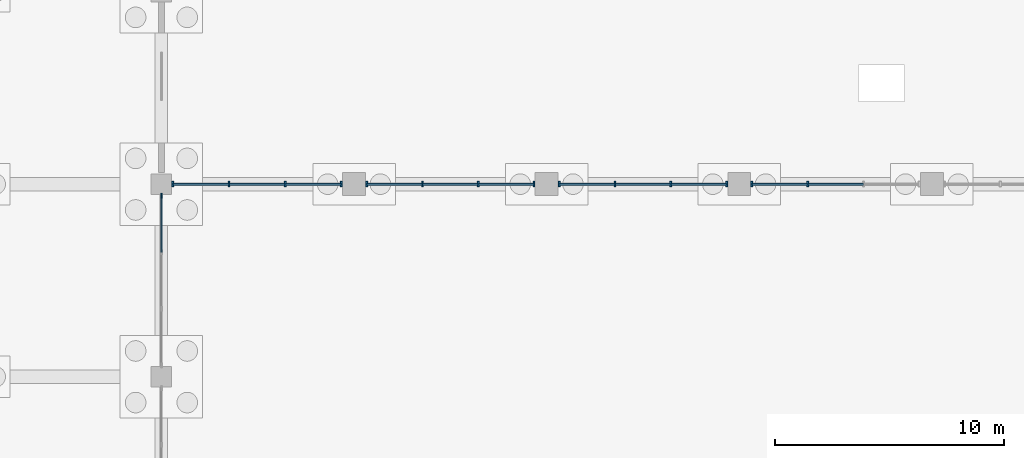
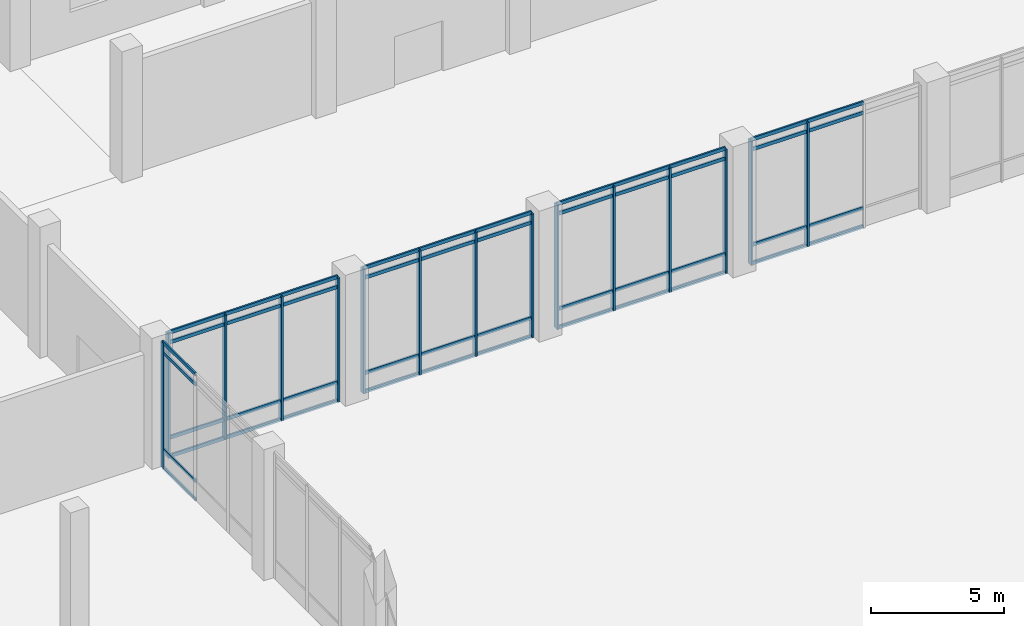
# One storey, part 25 of 72: 63 members, 5 elements without a shape of their own.
"""IFC4 building model written with IfcOpenShell, lengths in metres."""

from ifc_helpers import new_model, si_unit, direction, frame, origin, origin_2d, place, context, subcontext, project, spatial, rectangle, extrude, material, layer, layer_set, material_profile, profile_set, type_object, element, aggregate, save


model = new_model("IFC4")

# Units and contexts
model_context = context("Model", 3, precision=1e-05, world=origin(), true_north=direction((0.0, 1.0)))
body_context = subcontext(model_context, "Body", "Model", "MODEL_VIEW")
ifc_project = project(units=[si_unit("LENGTHUNIT", "METRE"), si_unit("AREAUNIT", "SQUARE_METRE"), si_unit("VOLUMEUNIT", "CUBIC_METRE"), si_unit("PLANEANGLEUNIT", "RADIAN"), si_unit("MASSUNIT", "GRAM", prefix="KILO")], contexts=[model_context])

# Site, building, storey
site_placement = place(None, origin())
site = spatial("IfcSite", under=ifc_project, at=site_placement, CompositionType="ELEMENT")
building_placement = place(site_placement, origin())
building = spatial("IfcBuilding", under=site, at=building_placement, Name="Qawsi Khor Wholesale Market", CompositionType="ELEMENT")
storey_placement = place(building_placement, origin())
storey = spatial("IfcBuildingStorey", under=building, at=storey_placement, Name="L00", CompositionType="ELEMENT", Elevation=0.0)

# Curtain wall, member
ifc_material = material(Name="Aluminium Anodised Bronze", Category="aluminium")
ifc_layer_1 = layer(ifc_material, 0.199951171875, Name="Aluminium Anodised Bronze")
ifc_layer_set_1 = layer_set([ifc_layer_1], Name="Aluminium Anodised Bronze")
curtain_wall_type_1 = type_object("IfcCurtainWallType", Name="Trading Hall North-Light Curtain Wall CW-03", PredefinedType="NOTDEFINED", material=ifc_layer_set_1)
curtain_wall_1_placement = place(storey_placement, origin())
curtain_wall_1 = element("IfcCurtainWall", 1, at=curtain_wall_1_placement, inside=storey, type_object=curtain_wall_type_1, Name="Curtain wall CW-CW-03-L00-092", PredefinedType="NOTDEFINED")
ifc_material_profile_1 = material_profile(ifc_material, rectangle(XDim=0.074951171875, YDim=0.219970703125, at=origin_2d()), Name="ALU MULLION 75x220")
ifc_profile_set_1 = profile_set([ifc_material_profile_1], Name="Aluminium Anodised Bronze")
member_type_1 = type_object("IfcMemberType", Name="Curtain Wall Mullion CW-03 ALU MULLION 75x220", PredefinedType="MULLION", material=ifc_profile_set_1)
member_1_placement = place(storey_placement, frame((75.60009765625, 91.902587890625, -0.02001953125), z_axis=(0.0, 0.0, 1.0), x_axis=(1.0, 0.0, 0.0)))
member_1 = element("IfcMember", 2, at=member_1_placement, type_object=member_type_1, Name="Mullion CW-CW-03-L00-092-M03", PredefinedType="MULLION", context=body_context, shape_type="SweptSolid", body=[
    extrude(rectangle(XDim=0.074951171875, YDim=0.219970703125, at=origin_2d()), origin(), (0.0, 0.0, 1.0), 5.75),
])

# Curtain wall, members
ifc_layer_2 = layer(ifc_material, 0.219970703125, Name="Aluminium Anodised Bronze")
ifc_layer_set_2 = layer_set([ifc_layer_2], Name="Aluminium Anodised Bronze")
curtain_wall_type_2 = type_object("IfcCurtainWallType", Name="Auction Clerestory Curtain Wall CW-04", PredefinedType="NOTDEFINED", material=ifc_layer_set_2)
curtain_wall_2_placement = place(storey_placement, origin())
curtain_wall_2 = element("IfcCurtainWall", 3, at=curtain_wall_2_placement, inside=storey, type_object=curtain_wall_type_2, Name="Curtain wall CW-CW-04-L00-097", PredefinedType="NOTDEFINED")
ifc_material_profile_2 = material_profile(ifc_material, rectangle(XDim=0.080078125, YDim=0.239990234375, at=origin_2d()), Name="ALU MULLION 80x240")
ifc_profile_set_2 = profile_set([ifc_material_profile_2], Name="Aluminium Anodised Bronze")
member_type_2 = type_object("IfcMemberType", Name="Curtain Wall Mullion CW-04 ALU MULLION 80x240", PredefinedType="MULLION", material=ifc_profile_set_2)
member_2_placement = place(storey_placement, frame((76.10009765625, 92.39990234375, -0.02001953125), z_axis=(0.0, 0.0, 1.0), x_axis=(1.0, 0.0, 0.0)))
member_2 = element("IfcMember", 4, at=member_2_placement, type_object=member_type_2, Name="Mullion CW-CW-04-L00-097-M00", PredefinedType="MULLION", context=body_context, shape_type="SweptSolid", body=[
    extrude(rectangle(XDim=0.080078125, YDim=0.239990234375, at=origin_2d()), origin(), (0.0, 0.0, 1.0), 5.68994140625),
])
member_3_placement = place(storey_placement, frame((78.550048828125, 92.39990234375, -0.02001953125), z_axis=(0.0, 0.0, 1.0), x_axis=(1.0, 0.0, 0.0)))
member_3 = element("IfcMember", 5, at=member_3_placement, type_object=member_type_2, Name="Mullion CW-CW-04-L00-097-M01", PredefinedType="MULLION", context=body_context, shape_type="SweptSolid", body=[
    extrude(rectangle(XDim=0.080078125, YDim=0.239990234375, at=origin_2d()), origin(), (0.0, 0.0, 1.0), 5.68994140625),
])
member_4_placement = place(storey_placement, frame((81.0, 92.39990234375, -0.02001953125), z_axis=(0.0, 0.0, 1.0), x_axis=(1.0, 0.0, 0.0)))
member_4 = element("IfcMember", 6, at=member_4_placement, type_object=member_type_2, Name="Mullion CW-CW-04-L00-097-M02", PredefinedType="MULLION", context=body_context, shape_type="SweptSolid", body=[
    extrude(rectangle(XDim=0.080078125, YDim=0.239990234375, at=origin_2d()), origin(), (0.0, 0.0, 1.0), 5.68994140625),
])
member_5_placement = place(storey_placement, frame((83.449951171875, 92.39990234375, -0.02001953125), z_axis=(0.0, 0.0, 1.0), x_axis=(1.0, 0.0, 0.0)))
member_5 = element("IfcMember", 7, at=member_5_placement, type_object=member_type_2, Name="Mullion CW-CW-04-L00-097-M03", PredefinedType="MULLION", context=body_context, shape_type="SweptSolid", body=[
    extrude(rectangle(XDim=0.080078125, YDim=0.239990234375, at=origin_2d()), origin(), (0.0, 0.0, 1.0), 5.68994140625),
])

curtain_wall_3_placement = place(storey_placement, origin())
curtain_wall_3 = element("IfcCurtainWall", 8, at=curtain_wall_3_placement, inside=storey, type_object=curtain_wall_type_2, Name="Curtain wall CW-CW-04-L00-099", PredefinedType="NOTDEFINED")
member_6_placement = place(storey_placement, frame((84.550048828125, 92.39990234375, -0.02001953125), z_axis=(0.0, 0.0, 1.0), x_axis=(1.0, 0.0, 0.0)))
member_6 = element("IfcMember", 9, at=member_6_placement, type_object=member_type_2, Name="Mullion CW-CW-04-L00-099-M00", PredefinedType="MULLION", context=body_context, shape_type="SweptSolid", body=[
    extrude(rectangle(XDim=0.080078125, YDim=0.239990234375, at=origin_2d()), origin(), (0.0, 0.0, 1.0), 5.68994140625),
])
member_7_placement = place(storey_placement, frame((86.9833984375, 92.39990234375, -0.02001953125), z_axis=(0.0, 0.0, 1.0), x_axis=(1.0, 0.0, 0.0)))
member_7 = element("IfcMember", 10, at=member_7_placement, type_object=member_type_2, Name="Mullion CW-CW-04-L00-099-M01", PredefinedType="MULLION", context=body_context, shape_type="SweptSolid", body=[
    extrude(rectangle(XDim=0.080078125, YDim=0.239990234375, at=origin_2d()), origin(), (0.0, 0.0, 1.0), 5.68994140625),
])
member_8_placement = place(storey_placement, frame((89.416748046875, 92.39990234375, -0.02001953125), z_axis=(0.0, 0.0, 1.0), x_axis=(1.0, 0.0, 0.0)))
member_8 = element("IfcMember", 11, at=member_8_placement, type_object=member_type_2, Name="Mullion CW-CW-04-L00-099-M02", PredefinedType="MULLION", context=body_context, shape_type="SweptSolid", body=[
    extrude(rectangle(XDim=0.080078125, YDim=0.239990234375, at=origin_2d()), origin(), (0.0, 0.0, 1.0), 5.68994140625),
])
member_9_placement = place(storey_placement, frame((91.85009765625, 92.39990234375, -0.02001953125), z_axis=(0.0, 0.0, 1.0), x_axis=(1.0, 0.0, 0.0)))
member_9 = element("IfcMember", 12, at=member_9_placement, type_object=member_type_2, Name="Mullion CW-CW-04-L00-099-M03", PredefinedType="MULLION", context=body_context, shape_type="SweptSolid", body=[
    extrude(rectangle(XDim=0.080078125, YDim=0.239990234375, at=origin_2d()), origin(), (0.0, 0.0, 1.0), 5.68994140625),
])

curtain_wall_4_placement = place(storey_placement, origin())
curtain_wall_4 = element("IfcCurtainWall", 13, at=curtain_wall_4_placement, inside=storey, type_object=curtain_wall_type_2, Name="Curtain wall CW-CW-04-L00-102", PredefinedType="NOTDEFINED")
member_10_placement = place(storey_placement, frame((92.949951171875, 92.39990234375, -0.02001953125), z_axis=(0.0, 0.0, 1.0), x_axis=(1.0, 0.0, 0.0)))
member_10 = element("IfcMember", 14, at=member_10_placement, type_object=member_type_2, Name="Mullion CW-CW-04-L00-102-M00", PredefinedType="MULLION", context=body_context, shape_type="SweptSolid", body=[
    extrude(rectangle(XDim=0.080078125, YDim=0.239990234375, at=origin_2d()), origin(), (0.0, 0.0, 1.0), 5.68994140625),
])
member_11_placement = place(storey_placement, frame((95.38330078125, 92.39990234375, -0.02001953125), z_axis=(0.0, 0.0, 1.0), x_axis=(1.0, 0.0, 0.0)))
member_11 = element("IfcMember", 15, at=member_11_placement, type_object=member_type_2, Name="Mullion CW-CW-04-L00-102-M01", PredefinedType="MULLION", context=body_context, shape_type="SweptSolid", body=[
    extrude(rectangle(XDim=0.080078125, YDim=0.239990234375, at=origin_2d()), origin(), (0.0, 0.0, 1.0), 5.68994140625),
])
member_12_placement = place(storey_placement, frame((97.816650390625, 92.39990234375, -0.02001953125), z_axis=(0.0, 0.0, 1.0), x_axis=(1.0, 0.0, 0.0)))
member_12 = element("IfcMember", 16, at=member_12_placement, type_object=member_type_2, Name="Mullion CW-CW-04-L00-102-M02", PredefinedType="MULLION", context=body_context, shape_type="SweptSolid", body=[
    extrude(rectangle(XDim=0.080078125, YDim=0.239990234375, at=origin_2d()), origin(), (0.0, 0.0, 1.0), 5.68994140625),
])
member_13_placement = place(storey_placement, frame((100.25, 92.39990234375, -0.02001953125), z_axis=(0.0, 0.0, 1.0), x_axis=(1.0, 0.0, 0.0)))
member_13 = element("IfcMember", 17, at=member_13_placement, type_object=member_type_2, Name="Mullion CW-CW-04-L00-102-M03", PredefinedType="MULLION", context=body_context, shape_type="SweptSolid", body=[
    extrude(rectangle(XDim=0.080078125, YDim=0.239990234375, at=origin_2d()), origin(), (0.0, 0.0, 1.0), 5.68994140625),
])

curtain_wall_5_placement = place(storey_placement, origin())
curtain_wall_5 = element("IfcCurtainWall", 18, at=curtain_wall_5_placement, inside=storey, type_object=curtain_wall_type_2, Name="Curtain wall CW-CW-04-L00-105", PredefinedType="NOTDEFINED")
member_14_placement = place(storey_placement, frame((101.35009765625, 92.39990234375, -0.02001953125), z_axis=(0.0, 0.0, 1.0), x_axis=(1.0, 0.0, 0.0)))
member_14 = element("IfcMember", 19, at=member_14_placement, type_object=member_type_2, Name="Mullion CW-CW-04-L00-105-M00", PredefinedType="MULLION", context=body_context, shape_type="SweptSolid", body=[
    extrude(rectangle(XDim=0.080078125, YDim=0.239990234375, at=origin_2d()), origin(), (0.0, 0.0, 1.0), 5.68994140625),
])
member_15_placement = place(storey_placement, frame((103.783203125, 92.39990234375, -0.02001953125), z_axis=(0.0, 0.0, 1.0), x_axis=(1.0, 0.0, 0.0)))
member_15 = element("IfcMember", 20, at=member_15_placement, type_object=member_type_2, Name="Mullion CW-CW-04-L00-105-M01", PredefinedType="MULLION", context=body_context, shape_type="SweptSolid", body=[
    extrude(rectangle(XDim=0.080078125, YDim=0.239990234375, at=origin_2d()), origin(), (0.0, 0.0, 1.0), 5.68994140625),
])

# Member
ifc_material_profile_3 = material_profile(ifc_material, rectangle(XDim=0.070068359375, YDim=0.14990234375, at=origin_2d()), Name="ALU TRANSOM 70x150")
ifc_profile_set_3 = profile_set([ifc_material_profile_3], Name="Aluminium Anodised Bronze")
member_type_3 = type_object("IfcMemberType", Name="Curtain Wall Transom CW-03 ALU TRANSOM 70x150", PredefinedType="USERDEFINED", material=ifc_profile_set_3)
member_16_placement = place(storey_placement, frame((75.60009765625, 89.43408203125, 0.0), z_axis=(0.0, 1.0, 0.0), x_axis=(-1.0, 0.0, 0.0)))
member_16 = element("IfcMember", 21, at=member_16_placement, type_object=member_type_3, Name="Transom CW-CW-03-L00-092-T0_02", ObjectType="TRANSOM", PredefinedType="USERDEFINED", context=body_context, shape_type="SweptSolid", body=[
    extrude(rectangle(XDim=0.070068359375, YDim=0.14990234375, at=origin_2d()), origin(), (0.0, 0.0, 1.0), 2.468505859375),
])

member_17_placement = place(storey_placement, frame((75.60009765625, 89.43408203125, 0.85009765625), z_axis=(0.0, 1.0, 0.0), x_axis=(-1.0, 0.0, 0.0)))
member_17 = element("IfcMember", 22, at=member_17_placement, type_object=member_type_3, Name="Transom CW-CW-03-L00-092-T1_02", ObjectType="TRANSOM", PredefinedType="USERDEFINED", context=body_context, shape_type="SweptSolid", body=[
    extrude(rectangle(XDim=0.070068359375, YDim=0.14990234375, at=origin_2d()), origin(), (0.0, 0.0, 1.0), 2.468505859375),
])

member_18_placement = place(storey_placement, frame((75.60009765625, 89.43408203125, 5.280029296875), z_axis=(0.0, 1.0, 0.0), x_axis=(-1.0, 0.0, 0.0)))
member_18 = element("IfcMember", 23, at=member_18_placement, type_object=member_type_3, Name="Transom CW-CW-03-L00-092-T2_02", ObjectType="TRANSOM", PredefinedType="USERDEFINED", context=body_context, shape_type="SweptSolid", body=[
    extrude(rectangle(XDim=0.070068359375, YDim=0.14990234375, at=origin_2d()), origin(), (0.0, 0.0, 1.0), 2.468505859375),
])

member_19_placement = place(storey_placement, frame((75.60009765625, 89.43408203125, 5.72998046875), z_axis=(0.0, 1.0, 0.0), x_axis=(-1.0, 0.0, 0.0)))
member_19 = element("IfcMember", 24, at=member_19_placement, type_object=member_type_3, Name="Transom CW-CW-03-L00-092-T3_02", ObjectType="TRANSOM", PredefinedType="USERDEFINED", context=body_context, shape_type="SweptSolid", body=[
    extrude(rectangle(XDim=0.070068359375, YDim=0.14990234375, at=origin_2d()), origin(), (0.0, 0.0, 1.0), 2.468505859375),
])

aggregate(curtain_wall_1, [member_1, member_16, member_17, member_18, member_19])

ifc_material_profile_4 = material_profile(ifc_material, rectangle(XDim=0.074951171875, YDim=0.159912109375, at=origin_2d()), Name="ALU TRANSOM 75x160")
ifc_profile_set_4 = profile_set([ifc_material_profile_4], Name="Aluminium Anodised Bronze")
member_type_4 = type_object("IfcMemberType", Name="Curtain Wall Transom CW-04 ALU TRANSOM 75x160", PredefinedType="USERDEFINED", material=ifc_profile_set_4)
member_20_placement = place(storey_placement, frame((76.10009765625, 92.39990234375, 0.0), z_axis=(1.0, 0.0, 0.0), x_axis=(0.0, 1.0, 0.0)))
member_20 = element("IfcMember", 25, at=member_20_placement, type_object=member_type_4, Name="Transom CW-CW-04-L00-097-T0_00", ObjectType="TRANSOM", PredefinedType="USERDEFINED", context=body_context, shape_type="SweptSolid", body=[
    extrude(rectangle(XDim=0.074951171875, YDim=0.159912109375, at=origin_2d()), origin(), (0.0, 0.0, 1.0), 2.449951171875),
])

member_21_placement = place(storey_placement, frame((78.550048828125, 92.39990234375, 0.0), z_axis=(1.0, 0.0, 0.0), x_axis=(0.0, 1.0, 0.0)))
member_21 = element("IfcMember", 26, at=member_21_placement, type_object=member_type_4, Name="Transom CW-CW-04-L00-097-T0_01", ObjectType="TRANSOM", PredefinedType="USERDEFINED", context=body_context, shape_type="SweptSolid", body=[
    extrude(rectangle(XDim=0.074951171875, YDim=0.159912109375, at=origin_2d()), origin(), (0.0, 0.0, 1.0), 2.449951171875),
])

member_22_placement = place(storey_placement, frame((81.0, 92.39990234375, 0.0), z_axis=(1.0, 0.0, 0.0), x_axis=(0.0, 1.0, 0.0)))
member_22 = element("IfcMember", 27, at=member_22_placement, type_object=member_type_4, Name="Transom CW-CW-04-L00-097-T0_02", ObjectType="TRANSOM", PredefinedType="USERDEFINED", context=body_context, shape_type="SweptSolid", body=[
    extrude(rectangle(XDim=0.074951171875, YDim=0.159912109375, at=origin_2d()), origin(), (0.0, 0.0, 1.0), 2.449951171875),
])

member_23_placement = place(storey_placement, frame((76.10009765625, 92.39990234375, 0.85009765625), z_axis=(1.0, 0.0, 0.0), x_axis=(0.0, 1.0, 0.0)))
member_23 = element("IfcMember", 28, at=member_23_placement, type_object=member_type_4, Name="Transom CW-CW-04-L00-097-T1_00", ObjectType="TRANSOM", PredefinedType="USERDEFINED", context=body_context, shape_type="SweptSolid", body=[
    extrude(rectangle(XDim=0.074951171875, YDim=0.159912109375, at=origin_2d()), origin(), (0.0, 0.0, 1.0), 2.449951171875),
])

member_24_placement = place(storey_placement, frame((78.550048828125, 92.39990234375, 0.85009765625), z_axis=(1.0, 0.0, 0.0), x_axis=(0.0, 1.0, 0.0)))
member_24 = element("IfcMember", 29, at=member_24_placement, type_object=member_type_4, Name="Transom CW-CW-04-L00-097-T1_01", ObjectType="TRANSOM", PredefinedType="USERDEFINED", context=body_context, shape_type="SweptSolid", body=[
    extrude(rectangle(XDim=0.074951171875, YDim=0.159912109375, at=origin_2d()), origin(), (0.0, 0.0, 1.0), 2.449951171875),
])

member_25_placement = place(storey_placement, frame((81.0, 92.39990234375, 0.85009765625), z_axis=(1.0, 0.0, 0.0), x_axis=(0.0, 1.0, 0.0)))
member_25 = element("IfcMember", 30, at=member_25_placement, type_object=member_type_4, Name="Transom CW-CW-04-L00-097-T1_02", ObjectType="TRANSOM", PredefinedType="USERDEFINED", context=body_context, shape_type="SweptSolid", body=[
    extrude(rectangle(XDim=0.074951171875, YDim=0.159912109375, at=origin_2d()), origin(), (0.0, 0.0, 1.0), 2.449951171875),
])

member_26_placement = place(storey_placement, frame((76.10009765625, 92.39990234375, 5.219970703125), z_axis=(1.0, 0.0, 0.0), x_axis=(0.0, 1.0, 0.0)))
member_26 = element("IfcMember", 31, at=member_26_placement, type_object=member_type_4, Name="Transom CW-CW-04-L00-097-T2_00", ObjectType="TRANSOM", PredefinedType="USERDEFINED", context=body_context, shape_type="SweptSolid", body=[
    extrude(rectangle(XDim=0.074951171875, YDim=0.159912109375, at=origin_2d()), origin(), (0.0, 0.0, 1.0), 2.449951171875),
])

member_27_placement = place(storey_placement, frame((78.550048828125, 92.39990234375, 5.219970703125), z_axis=(1.0, 0.0, 0.0), x_axis=(0.0, 1.0, 0.0)))
member_27 = element("IfcMember", 32, at=member_27_placement, type_object=member_type_4, Name="Transom CW-CW-04-L00-097-T2_01", ObjectType="TRANSOM", PredefinedType="USERDEFINED", context=body_context, shape_type="SweptSolid", body=[
    extrude(rectangle(XDim=0.074951171875, YDim=0.159912109375, at=origin_2d()), origin(), (0.0, 0.0, 1.0), 2.449951171875),
])

member_28_placement = place(storey_placement, frame((81.0, 92.39990234375, 5.219970703125), z_axis=(1.0, 0.0, 0.0), x_axis=(0.0, 1.0, 0.0)))
member_28 = element("IfcMember", 33, at=member_28_placement, type_object=member_type_4, Name="Transom CW-CW-04-L00-097-T2_02", ObjectType="TRANSOM", PredefinedType="USERDEFINED", context=body_context, shape_type="SweptSolid", body=[
    extrude(rectangle(XDim=0.074951171875, YDim=0.159912109375, at=origin_2d()), origin(), (0.0, 0.0, 1.0), 2.449951171875),
])

member_29_placement = place(storey_placement, frame((76.10009765625, 92.39990234375, 5.669921875), z_axis=(1.0, 0.0, 0.0), x_axis=(0.0, 1.0, 0.0)))
member_29 = element("IfcMember", 34, at=member_29_placement, type_object=member_type_4, Name="Transom CW-CW-04-L00-097-T3_00", ObjectType="TRANSOM", PredefinedType="USERDEFINED", context=body_context, shape_type="SweptSolid", body=[
    extrude(rectangle(XDim=0.074951171875, YDim=0.159912109375, at=origin_2d()), origin(), (0.0, 0.0, 1.0), 2.449951171875),
])

member_30_placement = place(storey_placement, frame((78.550048828125, 92.39990234375, 5.669921875), z_axis=(1.0, 0.0, 0.0), x_axis=(0.0, 1.0, 0.0)))
member_30 = element("IfcMember", 35, at=member_30_placement, type_object=member_type_4, Name="Transom CW-CW-04-L00-097-T3_01", ObjectType="TRANSOM", PredefinedType="USERDEFINED", context=body_context, shape_type="SweptSolid", body=[
    extrude(rectangle(XDim=0.074951171875, YDim=0.159912109375, at=origin_2d()), origin(), (0.0, 0.0, 1.0), 2.449951171875),
])

member_31_placement = place(storey_placement, frame((81.0, 92.39990234375, 5.669921875), z_axis=(1.0, 0.0, 0.0), x_axis=(0.0, 1.0, 0.0)))
member_31 = element("IfcMember", 36, at=member_31_placement, type_object=member_type_4, Name="Transom CW-CW-04-L00-097-T3_02", ObjectType="TRANSOM", PredefinedType="USERDEFINED", context=body_context, shape_type="SweptSolid", body=[
    extrude(rectangle(XDim=0.074951171875, YDim=0.159912109375, at=origin_2d()), origin(), (0.0, 0.0, 1.0), 2.449951171875),
])

aggregate(curtain_wall_2, [member_2, member_3, member_4, member_5, member_20, member_21, member_22, member_23, member_24, member_25, member_26, member_27, member_28, member_29, member_30, member_31])

member_32_placement = place(storey_placement, frame((84.550048828125, 92.39990234375, 0.0), z_axis=(1.0, 0.0, 0.0), x_axis=(0.0, 1.0, 0.0)))
member_32 = element("IfcMember", 37, at=member_32_placement, type_object=member_type_4, Name="Transom CW-CW-04-L00-099-T0_00", ObjectType="TRANSOM", PredefinedType="USERDEFINED", context=body_context, shape_type="SweptSolid", body=[
    extrude(rectangle(XDim=0.074951171875, YDim=0.159912109375, at=origin_2d()), origin(), (0.0, 0.0, 1.0), 2.433349609375),
])

member_33_placement = place(storey_placement, frame((86.9833984375, 92.39990234375, 0.0), z_axis=(1.0, 0.0, 0.0), x_axis=(0.0, 1.0, 0.0)))
member_33 = element("IfcMember", 38, at=member_33_placement, type_object=member_type_4, Name="Transom CW-CW-04-L00-099-T0_01", ObjectType="TRANSOM", PredefinedType="USERDEFINED", context=body_context, shape_type="SweptSolid", body=[
    extrude(rectangle(XDim=0.074951171875, YDim=0.159912109375, at=origin_2d()), origin(), (0.0, 0.0, 1.0), 2.433349609375),
])

member_34_placement = place(storey_placement, frame((89.416748046875, 92.39990234375, 0.0), z_axis=(1.0, 0.0, 0.0), x_axis=(0.0, 1.0, 0.0)))
member_34 = element("IfcMember", 39, at=member_34_placement, type_object=member_type_4, Name="Transom CW-CW-04-L00-099-T0_02", ObjectType="TRANSOM", PredefinedType="USERDEFINED", context=body_context, shape_type="SweptSolid", body=[
    extrude(rectangle(XDim=0.074951171875, YDim=0.159912109375, at=origin_2d()), origin(), (0.0, 0.0, 1.0), 2.433349609375),
])

member_35_placement = place(storey_placement, frame((84.550048828125, 92.39990234375, 0.85009765625), z_axis=(1.0, 0.0, 0.0), x_axis=(0.0, 1.0, 0.0)))
member_35 = element("IfcMember", 40, at=member_35_placement, type_object=member_type_4, Name="Transom CW-CW-04-L00-099-T1_00", ObjectType="TRANSOM", PredefinedType="USERDEFINED", context=body_context, shape_type="SweptSolid", body=[
    extrude(rectangle(XDim=0.074951171875, YDim=0.159912109375, at=origin_2d()), origin(), (0.0, 0.0, 1.0), 2.433349609375),
])

member_36_placement = place(storey_placement, frame((86.9833984375, 92.39990234375, 0.85009765625), z_axis=(1.0, 0.0, 0.0), x_axis=(0.0, 1.0, 0.0)))
member_36 = element("IfcMember", 41, at=member_36_placement, type_object=member_type_4, Name="Transom CW-CW-04-L00-099-T1_01", ObjectType="TRANSOM", PredefinedType="USERDEFINED", context=body_context, shape_type="SweptSolid", body=[
    extrude(rectangle(XDim=0.074951171875, YDim=0.159912109375, at=origin_2d()), origin(), (0.0, 0.0, 1.0), 2.433349609375),
])

member_37_placement = place(storey_placement, frame((89.416748046875, 92.39990234375, 0.85009765625), z_axis=(1.0, 0.0, 0.0), x_axis=(0.0, 1.0, 0.0)))
member_37 = element("IfcMember", 42, at=member_37_placement, type_object=member_type_4, Name="Transom CW-CW-04-L00-099-T1_02", ObjectType="TRANSOM", PredefinedType="USERDEFINED", context=body_context, shape_type="SweptSolid", body=[
    extrude(rectangle(XDim=0.074951171875, YDim=0.159912109375, at=origin_2d()), origin(), (0.0, 0.0, 1.0), 2.433349609375),
])

member_38_placement = place(storey_placement, frame((84.550048828125, 92.39990234375, 5.219970703125), z_axis=(1.0, 0.0, 0.0), x_axis=(0.0, 1.0, 0.0)))
member_38 = element("IfcMember", 43, at=member_38_placement, type_object=member_type_4, Name="Transom CW-CW-04-L00-099-T2_00", ObjectType="TRANSOM", PredefinedType="USERDEFINED", context=body_context, shape_type="SweptSolid", body=[
    extrude(rectangle(XDim=0.074951171875, YDim=0.159912109375, at=origin_2d()), origin(), (0.0, 0.0, 1.0), 2.433349609375),
])

member_39_placement = place(storey_placement, frame((86.9833984375, 92.39990234375, 5.219970703125), z_axis=(1.0, 0.0, 0.0), x_axis=(0.0, 1.0, 0.0)))
member_39 = element("IfcMember", 44, at=member_39_placement, type_object=member_type_4, Name="Transom CW-CW-04-L00-099-T2_01", ObjectType="TRANSOM", PredefinedType="USERDEFINED", context=body_context, shape_type="SweptSolid", body=[
    extrude(rectangle(XDim=0.074951171875, YDim=0.159912109375, at=origin_2d()), origin(), (0.0, 0.0, 1.0), 2.433349609375),
])

member_40_placement = place(storey_placement, frame((89.416748046875, 92.39990234375, 5.219970703125), z_axis=(1.0, 0.0, 0.0), x_axis=(0.0, 1.0, 0.0)))
member_40 = element("IfcMember", 45, at=member_40_placement, type_object=member_type_4, Name="Transom CW-CW-04-L00-099-T2_02", ObjectType="TRANSOM", PredefinedType="USERDEFINED", context=body_context, shape_type="SweptSolid", body=[
    extrude(rectangle(XDim=0.074951171875, YDim=0.159912109375, at=origin_2d()), origin(), (0.0, 0.0, 1.0), 2.433349609375),
])

member_41_placement = place(storey_placement, frame((84.550048828125, 92.39990234375, 5.669921875), z_axis=(1.0, 0.0, 0.0), x_axis=(0.0, 1.0, 0.0)))
member_41 = element("IfcMember", 46, at=member_41_placement, type_object=member_type_4, Name="Transom CW-CW-04-L00-099-T3_00", ObjectType="TRANSOM", PredefinedType="USERDEFINED", context=body_context, shape_type="SweptSolid", body=[
    extrude(rectangle(XDim=0.074951171875, YDim=0.159912109375, at=origin_2d()), origin(), (0.0, 0.0, 1.0), 2.433349609375),
])

member_42_placement = place(storey_placement, frame((86.9833984375, 92.39990234375, 5.669921875), z_axis=(1.0, 0.0, 0.0), x_axis=(0.0, 1.0, 0.0)))
member_42 = element("IfcMember", 47, at=member_42_placement, type_object=member_type_4, Name="Transom CW-CW-04-L00-099-T3_01", ObjectType="TRANSOM", PredefinedType="USERDEFINED", context=body_context, shape_type="SweptSolid", body=[
    extrude(rectangle(XDim=0.074951171875, YDim=0.159912109375, at=origin_2d()), origin(), (0.0, 0.0, 1.0), 2.433349609375),
])

member_43_placement = place(storey_placement, frame((89.416748046875, 92.39990234375, 5.669921875), z_axis=(1.0, 0.0, 0.0), x_axis=(0.0, 1.0, 0.0)))
member_43 = element("IfcMember", 48, at=member_43_placement, type_object=member_type_4, Name="Transom CW-CW-04-L00-099-T3_02", ObjectType="TRANSOM", PredefinedType="USERDEFINED", context=body_context, shape_type="SweptSolid", body=[
    extrude(rectangle(XDim=0.074951171875, YDim=0.159912109375, at=origin_2d()), origin(), (0.0, 0.0, 1.0), 2.433349609375),
])

aggregate(curtain_wall_3, [member_6, member_7, member_8, member_9, member_32, member_33, member_34, member_35, member_36, member_37, member_38, member_39, member_40, member_41, member_42, member_43])

member_44_placement = place(storey_placement, frame((92.949951171875, 92.39990234375, 0.0), z_axis=(1.0, 0.0, 0.0), x_axis=(0.0, 1.0, 0.0)))
member_44 = element("IfcMember", 49, at=member_44_placement, type_object=member_type_4, Name="Transom CW-CW-04-L00-102-T0_00", ObjectType="TRANSOM", PredefinedType="USERDEFINED", context=body_context, shape_type="SweptSolid", body=[
    extrude(rectangle(XDim=0.074951171875, YDim=0.159912109375, at=origin_2d()), origin(), (0.0, 0.0, 1.0), 2.433349609375),
])

member_45_placement = place(storey_placement, frame((95.38330078125, 92.39990234375, 0.0), z_axis=(1.0, 0.0, 0.0), x_axis=(0.0, 1.0, 0.0)))
member_45 = element("IfcMember", 50, at=member_45_placement, type_object=member_type_4, Name="Transom CW-CW-04-L00-102-T0_01", ObjectType="TRANSOM", PredefinedType="USERDEFINED", context=body_context, shape_type="SweptSolid", body=[
    extrude(rectangle(XDim=0.074951171875, YDim=0.159912109375, at=origin_2d()), origin(), (0.0, 0.0, 1.0), 2.433349609375),
])

member_46_placement = place(storey_placement, frame((97.816650390625, 92.39990234375, 0.0), z_axis=(1.0, 0.0, 0.0), x_axis=(0.0, 1.0, 0.0)))
member_46 = element("IfcMember", 51, at=member_46_placement, type_object=member_type_4, Name="Transom CW-CW-04-L00-102-T0_02", ObjectType="TRANSOM", PredefinedType="USERDEFINED", context=body_context, shape_type="SweptSolid", body=[
    extrude(rectangle(XDim=0.074951171875, YDim=0.159912109375, at=origin_2d()), origin(), (0.0, 0.0, 1.0), 2.433349609375),
])

member_47_placement = place(storey_placement, frame((92.949951171875, 92.39990234375, 0.85009765625), z_axis=(1.0, 0.0, 0.0), x_axis=(0.0, 1.0, 0.0)))
member_47 = element("IfcMember", 52, at=member_47_placement, type_object=member_type_4, Name="Transom CW-CW-04-L00-102-T1_00", ObjectType="TRANSOM", PredefinedType="USERDEFINED", context=body_context, shape_type="SweptSolid", body=[
    extrude(rectangle(XDim=0.074951171875, YDim=0.159912109375, at=origin_2d()), origin(), (0.0, 0.0, 1.0), 2.433349609375),
])

member_48_placement = place(storey_placement, frame((95.38330078125, 92.39990234375, 0.85009765625), z_axis=(1.0, 0.0, 0.0), x_axis=(0.0, 1.0, 0.0)))
member_48 = element("IfcMember", 53, at=member_48_placement, type_object=member_type_4, Name="Transom CW-CW-04-L00-102-T1_01", ObjectType="TRANSOM", PredefinedType="USERDEFINED", context=body_context, shape_type="SweptSolid", body=[
    extrude(rectangle(XDim=0.074951171875, YDim=0.159912109375, at=origin_2d()), origin(), (0.0, 0.0, 1.0), 2.433349609375),
])

member_49_placement = place(storey_placement, frame((97.816650390625, 92.39990234375, 0.85009765625), z_axis=(1.0, 0.0, 0.0), x_axis=(0.0, 1.0, 0.0)))
member_49 = element("IfcMember", 54, at=member_49_placement, type_object=member_type_4, Name="Transom CW-CW-04-L00-102-T1_02", ObjectType="TRANSOM", PredefinedType="USERDEFINED", context=body_context, shape_type="SweptSolid", body=[
    extrude(rectangle(XDim=0.074951171875, YDim=0.159912109375, at=origin_2d()), origin(), (0.0, 0.0, 1.0), 2.433349609375),
])

member_50_placement = place(storey_placement, frame((92.949951171875, 92.39990234375, 5.219970703125), z_axis=(1.0, 0.0, 0.0), x_axis=(0.0, 1.0, 0.0)))
member_50 = element("IfcMember", 55, at=member_50_placement, type_object=member_type_4, Name="Transom CW-CW-04-L00-102-T2_00", ObjectType="TRANSOM", PredefinedType="USERDEFINED", context=body_context, shape_type="SweptSolid", body=[
    extrude(rectangle(XDim=0.074951171875, YDim=0.159912109375, at=origin_2d()), origin(), (0.0, 0.0, 1.0), 2.433349609375),
])

member_51_placement = place(storey_placement, frame((95.38330078125, 92.39990234375, 5.219970703125), z_axis=(1.0, 0.0, 0.0), x_axis=(0.0, 1.0, 0.0)))
member_51 = element("IfcMember", 56, at=member_51_placement, type_object=member_type_4, Name="Transom CW-CW-04-L00-102-T2_01", ObjectType="TRANSOM", PredefinedType="USERDEFINED", context=body_context, shape_type="SweptSolid", body=[
    extrude(rectangle(XDim=0.074951171875, YDim=0.159912109375, at=origin_2d()), origin(), (0.0, 0.0, 1.0), 2.433349609375),
])

member_52_placement = place(storey_placement, frame((97.816650390625, 92.39990234375, 5.219970703125), z_axis=(1.0, 0.0, 0.0), x_axis=(0.0, 1.0, 0.0)))
member_52 = element("IfcMember", 57, at=member_52_placement, type_object=member_type_4, Name="Transom CW-CW-04-L00-102-T2_02", ObjectType="TRANSOM", PredefinedType="USERDEFINED", context=body_context, shape_type="SweptSolid", body=[
    extrude(rectangle(XDim=0.074951171875, YDim=0.159912109375, at=origin_2d()), origin(), (0.0, 0.0, 1.0), 2.433349609375),
])

member_53_placement = place(storey_placement, frame((92.949951171875, 92.39990234375, 5.669921875), z_axis=(1.0, 0.0, 0.0), x_axis=(0.0, 1.0, 0.0)))
member_53 = element("IfcMember", 58, at=member_53_placement, type_object=member_type_4, Name="Transom CW-CW-04-L00-102-T3_00", ObjectType="TRANSOM", PredefinedType="USERDEFINED", context=body_context, shape_type="SweptSolid", body=[
    extrude(rectangle(XDim=0.074951171875, YDim=0.159912109375, at=origin_2d()), origin(), (0.0, 0.0, 1.0), 2.433349609375),
])

member_54_placement = place(storey_placement, frame((95.38330078125, 92.39990234375, 5.669921875), z_axis=(1.0, 0.0, 0.0), x_axis=(0.0, 1.0, 0.0)))
member_54 = element("IfcMember", 59, at=member_54_placement, type_object=member_type_4, Name="Transom CW-CW-04-L00-102-T3_01", ObjectType="TRANSOM", PredefinedType="USERDEFINED", context=body_context, shape_type="SweptSolid", body=[
    extrude(rectangle(XDim=0.074951171875, YDim=0.159912109375, at=origin_2d()), origin(), (0.0, 0.0, 1.0), 2.433349609375),
])

member_55_placement = place(storey_placement, frame((97.816650390625, 92.39990234375, 5.669921875), z_axis=(1.0, 0.0, 0.0), x_axis=(0.0, 1.0, 0.0)))
member_55 = element("IfcMember", 60, at=member_55_placement, type_object=member_type_4, Name="Transom CW-CW-04-L00-102-T3_02", ObjectType="TRANSOM", PredefinedType="USERDEFINED", context=body_context, shape_type="SweptSolid", body=[
    extrude(rectangle(XDim=0.074951171875, YDim=0.159912109375, at=origin_2d()), origin(), (0.0, 0.0, 1.0), 2.433349609375),
])

aggregate(curtain_wall_4, [member_10, member_11, member_12, member_13, member_44, member_45, member_46, member_47, member_48, member_49, member_50, member_51, member_52, member_53, member_54, member_55])

member_56_placement = place(storey_placement, frame((101.35009765625, 92.39990234375, 0.0), z_axis=(1.0, 0.0, 0.0), x_axis=(0.0, 1.0, 0.0)))
member_56 = element("IfcMember", 61, at=member_56_placement, type_object=member_type_4, Name="Transom CW-CW-04-L00-105-T0_00", ObjectType="TRANSOM", PredefinedType="USERDEFINED", context=body_context, shape_type="SweptSolid", body=[
    extrude(rectangle(XDim=0.074951171875, YDim=0.159912109375, at=origin_2d()), origin(), (0.0, 0.0, 1.0), 2.43310546875),
])

member_57_placement = place(storey_placement, frame((103.783203125, 92.39990234375, 0.0), z_axis=(1.0, 0.0, 0.0), x_axis=(0.0, 1.0, 0.0)))
member_57 = element("IfcMember", 62, at=member_57_placement, type_object=member_type_4, Name="Transom CW-CW-04-L00-105-T0_01", ObjectType="TRANSOM", PredefinedType="USERDEFINED", context=body_context, shape_type="SweptSolid", body=[
    extrude(rectangle(XDim=0.074951171875, YDim=0.159912109375, at=origin_2d()), origin(), (0.0, 0.0, 1.0), 2.43359375),
])

member_58_placement = place(storey_placement, frame((101.35009765625, 92.39990234375, 0.85009765625), z_axis=(1.0, 0.0, 0.0), x_axis=(0.0, 1.0, 0.0)))
member_58 = element("IfcMember", 63, at=member_58_placement, type_object=member_type_4, Name="Transom CW-CW-04-L00-105-T1_00", ObjectType="TRANSOM", PredefinedType="USERDEFINED", context=body_context, shape_type="SweptSolid", body=[
    extrude(rectangle(XDim=0.074951171875, YDim=0.159912109375, at=origin_2d()), origin(), (0.0, 0.0, 1.0), 2.43310546875),
])

member_59_placement = place(storey_placement, frame((103.783203125, 92.39990234375, 0.85009765625), z_axis=(1.0, 0.0, 0.0), x_axis=(0.0, 1.0, 0.0)))
member_59 = element("IfcMember", 64, at=member_59_placement, type_object=member_type_4, Name="Transom CW-CW-04-L00-105-T1_01", ObjectType="TRANSOM", PredefinedType="USERDEFINED", context=body_context, shape_type="SweptSolid", body=[
    extrude(rectangle(XDim=0.074951171875, YDim=0.159912109375, at=origin_2d()), origin(), (0.0, 0.0, 1.0), 2.43359375),
])

member_60_placement = place(storey_placement, frame((101.35009765625, 92.39990234375, 5.219970703125), z_axis=(1.0, 0.0, 0.0), x_axis=(0.0, 1.0, 0.0)))
member_60 = element("IfcMember", 65, at=member_60_placement, type_object=member_type_4, Name="Transom CW-CW-04-L00-105-T2_00", ObjectType="TRANSOM", PredefinedType="USERDEFINED", context=body_context, shape_type="SweptSolid", body=[
    extrude(rectangle(XDim=0.074951171875, YDim=0.159912109375, at=origin_2d()), origin(), (0.0, 0.0, 1.0), 2.43310546875),
])

member_61_placement = place(storey_placement, frame((103.783203125, 92.39990234375, 5.219970703125), z_axis=(1.0, 0.0, 0.0), x_axis=(0.0, 1.0, 0.0)))
member_61 = element("IfcMember", 66, at=member_61_placement, type_object=member_type_4, Name="Transom CW-CW-04-L00-105-T2_01", ObjectType="TRANSOM", PredefinedType="USERDEFINED", context=body_context, shape_type="SweptSolid", body=[
    extrude(rectangle(XDim=0.074951171875, YDim=0.159912109375, at=origin_2d()), origin(), (0.0, 0.0, 1.0), 2.43359375),
])

member_62_placement = place(storey_placement, frame((101.35009765625, 92.39990234375, 5.669921875), z_axis=(1.0, 0.0, 0.0), x_axis=(0.0, 1.0, 0.0)))
member_62 = element("IfcMember", 67, at=member_62_placement, type_object=member_type_4, Name="Transom CW-CW-04-L00-105-T3_00", ObjectType="TRANSOM", PredefinedType="USERDEFINED", context=body_context, shape_type="SweptSolid", body=[
    extrude(rectangle(XDim=0.074951171875, YDim=0.159912109375, at=origin_2d()), origin(), (0.0, 0.0, 1.0), 2.43310546875),
])

member_63_placement = place(storey_placement, frame((103.783203125, 92.39990234375, 5.669921875), z_axis=(1.0, 0.0, 0.0), x_axis=(0.0, 1.0, 0.0)))
member_63 = element("IfcMember", 68, at=member_63_placement, type_object=member_type_4, Name="Transom CW-CW-04-L00-105-T3_01", ObjectType="TRANSOM", PredefinedType="USERDEFINED", context=body_context, shape_type="SweptSolid", body=[
    extrude(rectangle(XDim=0.074951171875, YDim=0.159912109375, at=origin_2d()), origin(), (0.0, 0.0, 1.0), 2.43359375),
])

aggregate(curtain_wall_5, [member_14, member_15, member_56, member_57, member_58, member_59, member_60, member_61, member_62, member_63])

save(model, "model.ifc")
